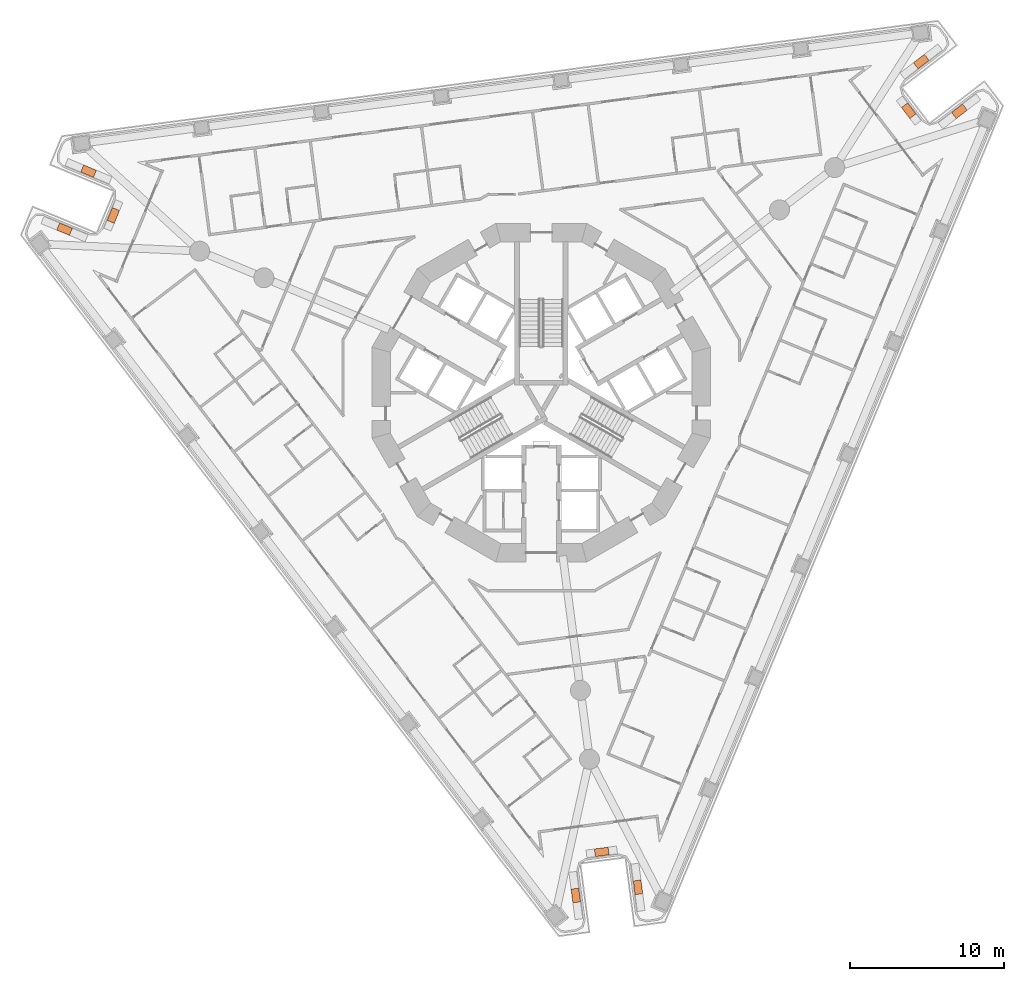
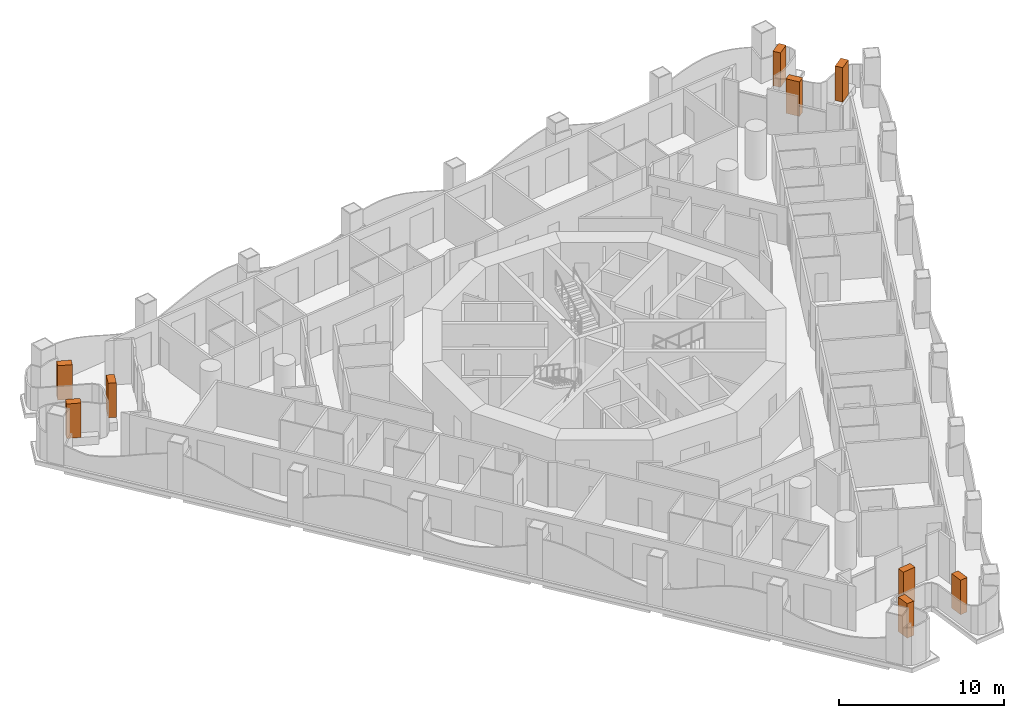
# One storey, part 19 of 19: 9 geographic elements.
"""IFC4 building model written with IfcOpenShell, lengths in metres."""

from ifc_helpers import new_model, si_unit, direction, frame, origin, origin_2d, place, context, subcontext, project, spatial, rectangle, extrude, element, save


model = new_model("IFC4")

# Units and contexts
model_context = context("Model", 3, precision=1e-05, world=origin(), true_north=direction((0.0, 1.0)))
body_context = subcontext(model_context, "Body", "Model", "MODEL_VIEW")
ifc_project = project(units=[si_unit("LENGTHUNIT", "METRE"), si_unit("AREAUNIT", "SQUARE_METRE"), si_unit("VOLUMEUNIT", "CUBIC_METRE"), si_unit("PLANEANGLEUNIT", "RADIAN"), si_unit("MASSUNIT", "GRAM", prefix="KILO")], contexts=[model_context])

# Site, building, storey
site_placement = place(None, origin())
site = spatial("IfcSite", under=ifc_project, at=site_placement, CompositionType="ELEMENT")
building_placement = place(site_placement, origin())
building = spatial("IfcBuilding", under=site, at=building_placement, Name="Trine Commons Tower", CompositionType="ELEMENT")
storey_placement = place(building_placement, frame((0.0, 0.0, 64.800048828125)))
storey = spatial("IfcBuildingStorey", under=building, at=storey_placement, Name="L15", CompositionType="ELEMENT", Elevation=64.800048828125)

# Geographic elements
for number, where, z_axis, x_axis, name in (
    (1, (49.005126953125, 73.13037109375, 0.60009765625), (0.0, 0.0, 1.0), (0.923885543575, -0.382668920052, 0.0), "Tree 1.1"),
    (2, (52.1787109375, 74.02392578125, 0.60009765625), (0.0, 0.0, 1.0), (0.382688269782, 0.923877528773, 0.0), "Tree 2.1"),
    (3, (50.56640625, 76.89990234375, 0.60009765625), (0.0, 0.0, 1.0), (-0.923885543575, 0.382668920052, 0.0), "Tree 3.1"),
    (4, (104.70361328125, 84.027099609375, 0.60009765625), (0.0, 0.0, 1.0), (-0.793358652707, -0.608754505672, 0.0), "Tree 4.1"),
    (5, (103.890625, 80.831787109375, 0.60009765625), (0.0, 0.0, 1.0), (0.608735120081, -0.793373527148, 0.0), "Tree 5.1"),
    (6, (107.187255859375, 80.790283203125, 0.60009765625), (0.0, 0.0, 1.0), (0.793358652707, 0.608754505672, 0.0), "Tree 6.1"),
    (7, (86.291259765625, 30.342529296875, 0.60009765625), (0.0, 0.0, 1.0), (-0.130517540226, 0.991446000392, 0.0), "Tree 7.1"),
    (8, (83.9306640625, 32.64404296875, 0.60009765625), (0.0, 0.0, 1.0), (-0.991442583111, -0.130543496177, 0.0), "Tree 8.1"),
    (9, (82.24609375, 29.81005859375, 0.60009765625), (0.0, 0.0, 1.0), (0.130546956964, -0.991442127422, 0.0), "Tree 9.1"),
):
    element("IfcGeographicElement", number, at=place(storey_placement, frame(where, z_axis=z_axis, x_axis=x_axis)), inside=storey, Name=name, ObjectType="TREE Tabebuia rosea", PredefinedType="USERDEFINED", context=body_context, shape_type="SweptSolid", body=[
        extrude(rectangle(XDim=0.89990234375, YDim=0.5, at=origin_2d()), origin(), (0.0, 0.0, 1.0), 2.550048828125),
    ])

save(model, "model.ifc")
